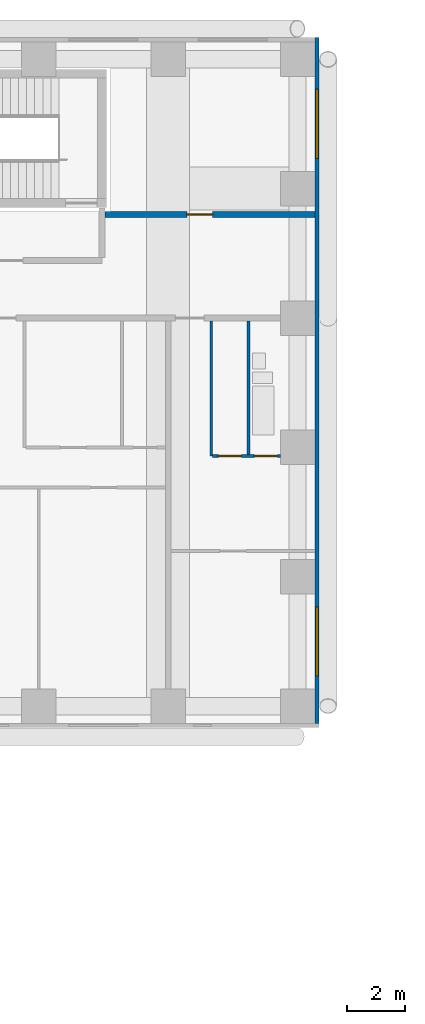
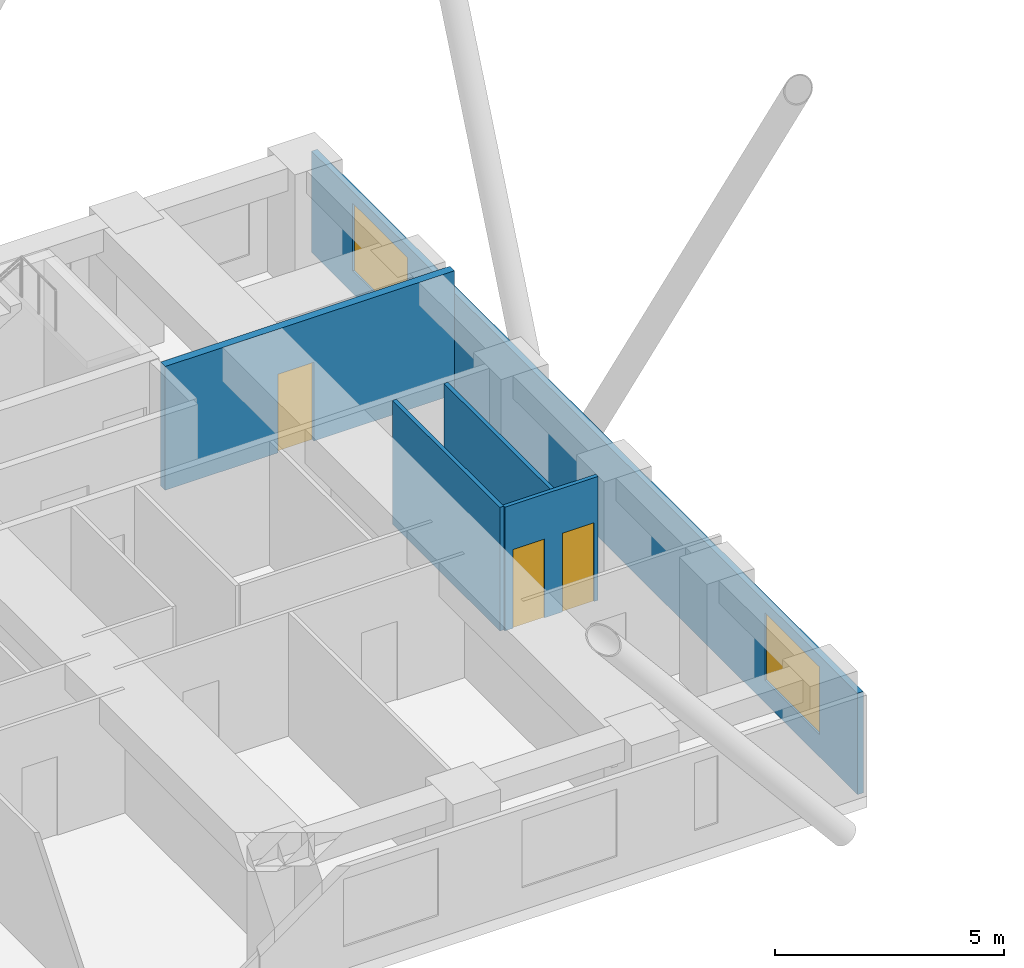
# One storey, part 15 of 20: 5 walls, 3 doors, 2 windows, 5 openings.
"""IFC4 building model written with IfcOpenShell, lengths in metres."""

from ifc_helpers import new_model, si_unit, direction, frame, frame_2d, origin, place, context, subcontext, project, spatial, rectangle, extrude, material, layer, layer_set, type_object, element, fill, save


model = new_model("IFC4")

# Units and contexts
model_context = context("Model", 3, precision=1e-05, world=origin(), true_north=direction((0.0, 1.0)))
body_context = subcontext(model_context, "Body", "Model", "MODEL_VIEW")
ifc_project = project(units=[si_unit("LENGTHUNIT", "METRE"), si_unit("AREAUNIT", "SQUARE_METRE"), si_unit("VOLUMEUNIT", "CUBIC_METRE"), si_unit("PLANEANGLEUNIT", "RADIAN"), si_unit("MASSUNIT", "GRAM", prefix="KILO")], contexts=[model_context])

# Site, building, storey
site_placement = place(None, origin())
site = spatial("IfcSite", under=ifc_project, at=site_placement, CompositionType="ELEMENT")
building_placement = place(site_placement, origin())
building = spatial("IfcBuilding", under=site, at=building_placement, Name="Firuza Court", CompositionType="ELEMENT")
storey_placement = place(building_placement, frame((0.0, 0.0, 29.0)))
storey = spatial("IfcBuildingStorey", under=building, at=storey_placement, Name="L05", CompositionType="ELEMENT", Elevation=29.0)

# Wall
ifc_material_1 = material(Name="Moisture-resistant gypsum board partition")
ifc_layer_1 = layer(ifc_material_1, 0.10009765625)
ifc_layer_set_1 = layer_set([ifc_layer_1], Name="Moisture-resistant gypsum board partition")
wall_type_1 = type_object("IfcWallType", Name="Bathroom partition 100", PredefinedType="PLUMBINGWALL", material=ifc_layer_set_1)
wall_1_placement = place(storey_placement, frame((65.800048828125, 44.75, 0.0), z_axis=(0.0, 0.0, 1.0), x_axis=(0.0, 1.0, 0.0)))
element("IfcWall", 1, at=wall_1_placement, inside=storey, type_object=wall_type_1, Name="Bathroom partition 100 L05", PredefinedType="PLUMBINGWALL", context=body_context, shape_type="SweptSolid", body=[
    extrude(rectangle(XDim=4.64990234375, YDim=0.10009765625, at=frame_2d((2.324951171875, 0.0))), origin(), (0.0, 0.0, 1.0), 3.300048828125),
])

# Wall, opening, door
ifc_material_2 = material(Name="Blockwork, plastered both sides", Category="masonry")
ifc_layer_2 = layer(ifc_material_2, 0.199951171875)
ifc_layer_set_2 = layer_set([ifc_layer_2], Name="Blockwork, plastered both sides")
wall_type_2 = type_object("IfcWallType", Name="Corridor wall 200", PredefinedType="PARTITIONING", material=ifc_layer_set_2)
wall_2_placement = place(storey_placement, frame((60.800048828125, 53.10009765625, 0.0), z_axis=(0.0, 0.0, 1.0), x_axis=(1.0, 0.0, 0.0)))
wall_2 = element("IfcWall", 2, at=wall_2_placement, inside=storey, type_object=wall_type_2, Name="Corridor wall 200 L05", PredefinedType="PARTITIONING", context=body_context, shape_type="SweptSolid", body=[
    extrude(rectangle(XDim=7.300048828125, YDim=0.199951171875, at=frame_2d((3.64990234375, 0.0))), origin(), (0.0, 0.0, 1.0), 3.300048828125),
])
opening_1_placement = place(wall_2_placement, frame((2.85009765625, 0.0, 0.0)))
opening_1 = element("IfcOpeningElement", 3, at=opening_1_placement, cuts=wall_2, Name="Opening D05074", PredefinedType="OPENING", context=body_context, shape_type="SweptSolid", body=[
    extrude(rectangle(XDim=0.89990234375, YDim=2.10009765625, at=frame_2d((0.449951171875, 1.050048828125))), frame((0.0, 0.11181640625, 0.0), z_axis=(0.0, -1.0, 0.0), x_axis=(1.0, 0.0, 0.0)), (0.0, 0.0, 1.0), 0.223876953125),
])
ifc_material_3 = material(Name="Timber door leaf in hardwood frame", Category="wood")
door_type_1 = type_object("IfcDoorType", Name="Room door 900 EI 30", OperationType="SINGLE_SWING_LEFT", PredefinedType="DOOR", material=ifc_material_3)
door_1_placement = place(opening_1_placement, origin())
door_1 = element("IfcDoor", 4, at=door_1_placement, inside=storey, type_object=door_type_1, Name="Meeting room door", OperationType="SINGLE_SWING_LEFT", OverallHeight=2.10009765625, OverallWidth=0.89990234375, PredefinedType="DOOR", context=body_context, shape_type="SweptSolid", body=[
    extrude(rectangle(XDim=0.89990234375, YDim=2.10009765625, at=frame_2d((0.449951171875, 1.050048828125))), frame((0.0, 0.02490234375, 0.0), z_axis=(0.0, -1.0, 0.0), x_axis=(1.0, 0.0, 0.0)), (0.0, 0.0, 1.0), 0.050048828125),
])
fill(opening_1, door_1)

# Wall
ifc_material_4 = material(Name="Timber stud partition, plasterboard both sides", Category="wood")
ifc_layer_3 = layer(ifc_material_4, 0.10009765625)
ifc_layer_set_3 = layer_set([ifc_layer_3], Name="Timber stud partition, plasterboard both sides")
wall_type_3 = type_object("IfcWallType", Name="Partition wall 100", PredefinedType="PARTITIONING", material=ifc_layer_set_3)
wall_3_placement = place(storey_placement, frame((64.5, 44.699951171875, 0.0), z_axis=(0.0, 0.0, 1.0), x_axis=(0.0, 1.0, 0.0)))
element("IfcWall", 5, at=wall_3_placement, inside=storey, type_object=wall_type_3, Name="Partition wall 100 L05", PredefinedType="PARTITIONING", context=body_context, shape_type="SweptSolid", body=[
    extrude(rectangle(XDim=4.699951171875, YDim=0.10009765625, at=frame_2d((2.35009765625, 0.0))), origin(), (0.0, 0.0, 1.0), 3.300048828125),
])

# Wall, openings, doors
wall_4_placement = place(storey_placement, frame((64.550048828125, 44.699951171875, 0.0), z_axis=(0.0, 0.0, 1.0), x_axis=(1.0, 0.0, 0.0)))
wall_4 = element("IfcWall", 6, at=wall_4_placement, inside=storey, type_object=wall_type_3, Name="Partition wall 100 L05", PredefinedType="PARTITIONING", context=body_context, shape_type="SweptSolid", body=[
    extrude(rectangle(XDim=2.349853515625, YDim=0.10009765625, at=frame_2d((1.1748046875, 0.0))), origin(), (0.0, 0.0, 1.0), 3.300048828125),
])
opening_2_placement = place(wall_4_placement, frame((1.449951171875, 0.0, 0.0)))
opening_2 = element("IfcOpeningElement", 7, at=opening_2_placement, cuts=wall_4, Name="Opening D05061", PredefinedType="OPENING", context=body_context, shape_type="SweptSolid", body=[
    extrude(rectangle(XDim=0.800048828125, YDim=2.10009765625, at=frame_2d((0.39990234375, 1.050048828125))), frame((0.0, 0.06201171875, 0.0), z_axis=(0.0, -1.0, 0.0), x_axis=(1.0, 0.0, 0.0)), (0.0, 0.0, 1.0), 0.1240234375),
])
opening_3_placement = place(wall_4_placement, frame((0.199951171875, 0.0, 0.0)))
opening_3 = element("IfcOpeningElement", 8, at=opening_3_placement, cuts=wall_4, Name="Opening D05062", PredefinedType="OPENING", context=body_context, shape_type="SweptSolid", body=[
    extrude(rectangle(XDim=0.800048828125, YDim=2.10009765625, at=frame_2d((0.39990234375, 1.050048828125))), frame((0.0, 0.06201171875, 0.0), z_axis=(0.0, -1.0, 0.0), x_axis=(1.0, 0.0, 0.0)), (0.0, 0.0, 1.0), 0.1240234375),
])
ifc_material_5 = material(Name="Timber door leaf in hardwood frame", Category="wood")
door_type_2 = type_object("IfcDoorType", Name="Bathroom door 800", OperationType="SINGLE_SWING_LEFT", PredefinedType="DOOR", material=ifc_material_5)
door_2_placement = place(opening_2_placement, origin())
door_2 = element("IfcDoor", 9, at=door_2_placement, inside=storey, type_object=door_type_2, Name="Bathroom door", OperationType="SINGLE_SWING_RIGHT", OverallHeight=2.10009765625, OverallWidth=0.800048828125, PredefinedType="DOOR", context=body_context, shape_type="SweptSolid", body=[
    extrude(rectangle(XDim=0.800048828125, YDim=2.10009765625, at=frame_2d((0.39990234375, 1.050048828125))), frame((0.0, 0.02490234375, 0.0), z_axis=(0.0, -1.0, 0.0), x_axis=(1.0, 0.0, 0.0)), (0.0, 0.0, 1.0), 0.050048828125),
])
fill(opening_2, door_2)
ifc_material_6 = material(Name="Timber door leaf in hardwood frame", Category="wood")
door_type_3 = type_object("IfcDoorType", Name="Room door 800", OperationType="SINGLE_SWING_LEFT", PredefinedType="DOOR", material=ifc_material_6)
door_3_placement = place(opening_3_placement, origin())
door_3 = element("IfcDoor", 10, at=door_3_placement, inside=storey, type_object=door_type_3, Name="Kitchen door", OperationType="SINGLE_SWING_LEFT", OverallHeight=2.10009765625, OverallWidth=0.800048828125, PredefinedType="DOOR", context=body_context, shape_type="SweptSolid", body=[
    extrude(rectangle(XDim=0.800048828125, YDim=2.10009765625, at=frame_2d((0.39990234375, 1.050048828125))), frame((0.0, 0.02490234375, 0.0), z_axis=(0.0, -1.0, 0.0), x_axis=(1.0, 0.0, 0.0)), (0.0, 0.0, 1.0), 0.050048828125),
])
fill(opening_3, door_3)

# Wall, openings, windows
ifc_material_7 = material(Name="Ceramic tile", Category="ceramic")
ifc_layer_4 = layer(ifc_material_7, 0.02001953125)
ifc_material_8 = material(Name="Mineral wool insulation", Category="insulation")
ifc_layer_5 = layer(ifc_material_8, 0.050048828125)
ifc_material_9 = material(Name="Concrete C40/50 precast", Category="concrete")
ifc_layer_6 = layer(ifc_material_9, 0.080078125)
ifc_layer_set_4 = layer_set([ifc_layer_4, ifc_layer_5, ifc_layer_6], Name="Concrete C40/50 precast")
wall_type_4 = type_object("IfcWallType", Name="Precast cladding wall with turquoise TILE PANEL face 150", PredefinedType="STANDARD", material=ifc_layer_set_4)
wall_5_placement = place(storey_placement, frame((68.175048828125, 35.39990234375, 0.0), z_axis=(0.0, 0.0, 1.0), x_axis=(0.0, 1.0, 0.0)))
wall_5 = element("IfcWall", 11, at=wall_5_placement, inside=storey, type_object=wall_type_4, Name="Facade wall L05 E", PredefinedType="STANDARD", context=body_context, shape_type="SweptSolid", body=[
    extrude(rectangle(XDim=23.85009765625, YDim=0.14990234375, at=frame_2d((11.925048828125, 0.0))), origin(), (0.0, 0.0, 1.0), 2.699951171875),
])
opening_4_placement = place(wall_5_placement, frame((1.64990234375, 0.0, 0.60009765625)))
opening_4 = element("IfcOpeningElement", 12, at=opening_4_placement, cuts=wall_5, Name="Opening W1", PredefinedType="OPENING", context=body_context, shape_type="SweptSolid", body=[
    extrude(rectangle(XDim=2.39990234375, YDim=1.800048828125, at=frame_2d((1.199951171875, 0.89990234375))), frame((0.0, 0.0869140625, 0.0), z_axis=(0.0, -1.0, 0.0), x_axis=(1.0, 0.0, 0.0)), (0.0, 0.0, 1.0), 0.173828125),
])
opening_5_placement = place(wall_5_placement, frame((19.64990234375, 0.0, 0.60009765625)))
opening_5 = element("IfcOpeningElement", 13, at=opening_5_placement, cuts=wall_5, Name="Opening W1", PredefinedType="OPENING", context=body_context, shape_type="SweptSolid", body=[
    extrude(rectangle(XDim=2.39990234375, YDim=1.800048828125, at=frame_2d((1.199951171875, 0.89990234375))), frame((0.0, 0.0869140625, 0.0), z_axis=(0.0, -1.0, 0.0), x_axis=(1.0, 0.0, 0.0)), (0.0, 0.0, 1.0), 0.173828125),
])
ifc_material_10 = material(Name="Aluminium frame, triple clear glazing", Category="aluminium")
window_type = type_object("IfcWindowType", Name="Window W1 2400 x 1800", PartitioningType="SINGLE_PANEL", PredefinedType="WINDOW", material=ifc_material_10)
window_1_placement = place(opening_4_placement, origin())
window_1 = element("IfcWindow", 14, at=window_1_placement, inside=storey, type_object=window_type, Name="Window L05", OverallHeight=1.800048828125, OverallWidth=2.39990234375, PartitioningType="SINGLE_PANEL", PredefinedType="WINDOW", context=body_context, shape_type="SweptSolid", body=[
    extrude(rectangle(XDim=2.39990234375, YDim=1.800048828125, at=frame_2d((1.199951171875, 0.89990234375))), frame((0.0, 0.030029296875, 0.0), z_axis=(0.0, -1.0, 0.0), x_axis=(1.0, 0.0, 0.0)), (0.0, 0.0, 1.0), 0.06005859375),
])
fill(opening_4, window_1)
window_2_placement = place(opening_5_placement, origin())
window_2 = element("IfcWindow", 15, at=window_2_placement, inside=storey, type_object=window_type, Name="Window L05", OverallHeight=1.800048828125, OverallWidth=2.39990234375, PartitioningType="SINGLE_PANEL", PredefinedType="WINDOW", context=body_context, shape_type="SweptSolid", body=[
    extrude(rectangle(XDim=2.39990234375, YDim=1.800048828125, at=frame_2d((1.199951171875, 0.89990234375))), frame((0.0, 0.030029296875, 0.0), z_axis=(0.0, -1.0, 0.0), x_axis=(1.0, 0.0, 0.0)), (0.0, 0.0, 1.0), 0.06005859375),
])
fill(opening_5, window_2)

save(model, "model.ifc")
